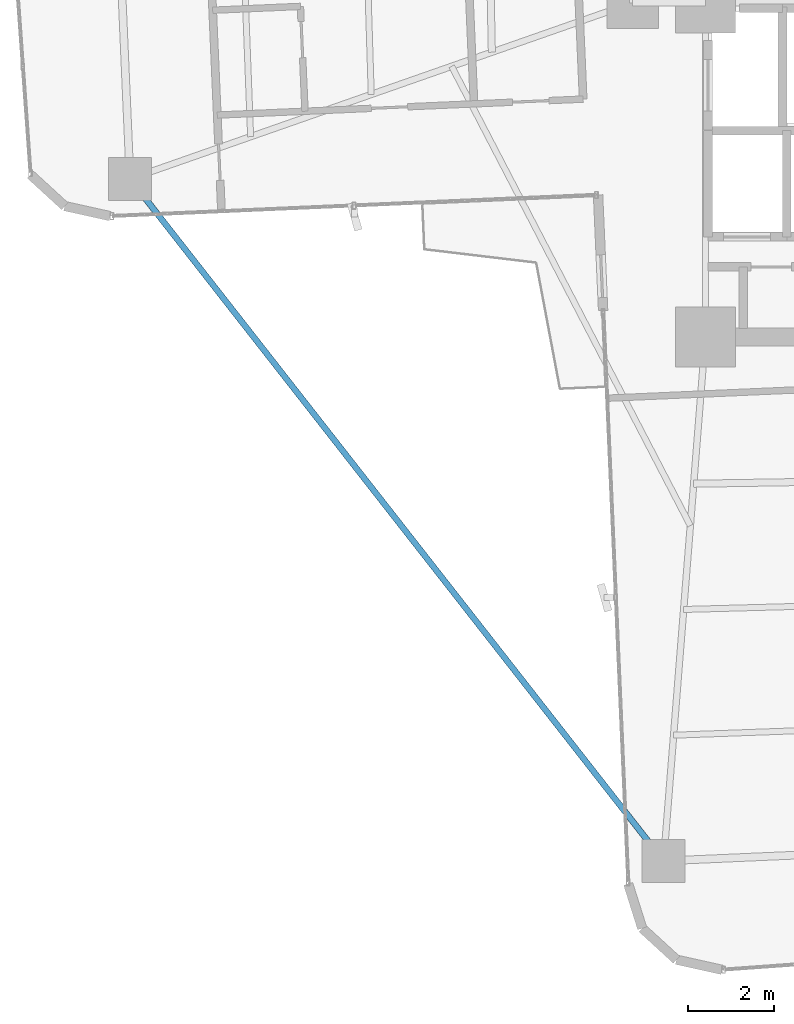
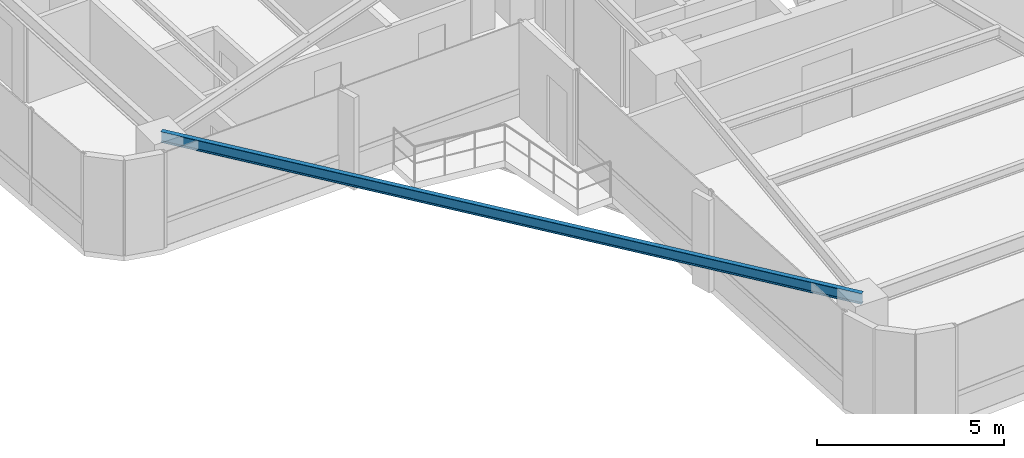
# One storey, part 3 of 26: 1 beam.
"""IFC4 building model written with IfcOpenShell, lengths in metres."""

from ifc_helpers import new_model, si_unit, direction, frame, origin, origin_2d, place, context, subcontext, project, spatial, i_section, extrude, source, transform, mapped, material, material_profile, profile_set, type_object, element, save


model = new_model("IFC4")

# Units and contexts
model_context = context("Model", 3, precision=1e-05, world=origin(), true_north=direction((0.0, 1.0)))
body_context = subcontext(model_context, "Body", "Model", "MODEL_VIEW")
ifc_project = project(units=[si_unit("LENGTHUNIT", "METRE"), si_unit("AREAUNIT", "SQUARE_METRE"), si_unit("VOLUMEUNIT", "CUBIC_METRE"), si_unit("PLANEANGLEUNIT", "RADIAN"), si_unit("MASSUNIT", "GRAM", prefix="KILO")], contexts=[model_context])

# Site, building, storey
site_placement = place(None, origin())
site = spatial("IfcSite", under=ifc_project, at=site_placement, CompositionType="ELEMENT")
building_placement = place(site_placement, origin())
building = spatial("IfcBuilding", under=site, at=building_placement, Name="Sahyath Konkavel Grand Hotel", CompositionType="ELEMENT")
storey_placement = place(building_placement, frame((0.0, 0.0, 83.5)))
storey = spatial("IfcBuildingStorey", under=building, at=storey_placement, Name="L22", CompositionType="ELEMENT", Elevation=83.5)

# Beam
ifc_material = material(Name="Steel E350", Category="steel")
ifc_material_profile = material_profile(ifc_material, i_section(OverallWidth=0.139892578125, OverallDepth=0.35009765625, WebThickness=0.008056640625, FlangeThickness=0.01416015625, FilletRadius=0.013916015625, at=origin_2d()), Name="ISMB 350")
ifc_profile_set = profile_set([ifc_material_profile], Name="Steel E350")
beam_type = type_object("IfcBeamType", Name="BM-ISMB350", PredefinedType="BEAM", material=ifc_profile_set)
shared_shape = source(origin(), body_context, "Body", "SweptSolid", [
    extrude(i_section(OverallWidth=0.139892578125, OverallDepth=0.35009765625, WebThickness=0.008056640625, FlangeThickness=0.01416015625, FilletRadius=0.013916015625, at=origin_2d()), origin(), (0.0, 0.0, 1.0), 20.215576171875),
])
beam_placement = place(storey_placement, frame((-17.232421875, -6.5078125, 2.93505859375), z_axis=(0.616176369687, -0.787608203004, 0.0), x_axis=(0.787608203004, 0.616176369687, 0.0)))
element("IfcBeam", 1, at=beam_placement, inside=storey, type_object=beam_type, Name="L22 Re-Entrant Tie Beam SW", PredefinedType="BEAM", context=body_context, shape_type="MappedRepresentation", body=[
    mapped(shared_shape, transform((0.0, 0.0, 0.0), scale=1.0)),
])

save(model, "model.ifc")
